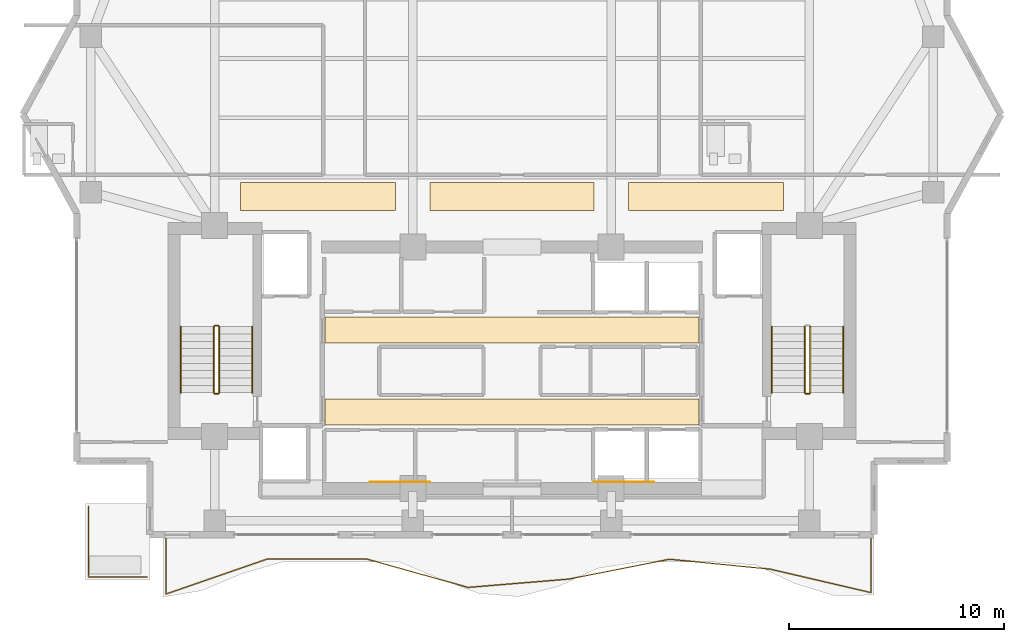
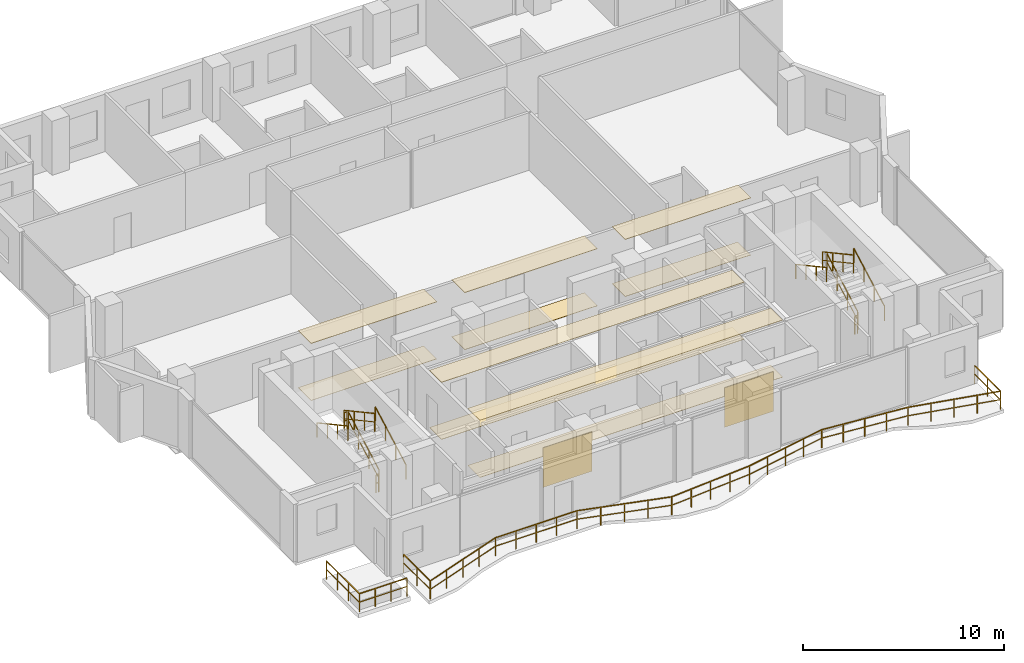
# One storey, part 25 of 28: 13 railings, 12 coverings.
"""IFC4 building model written with IfcOpenShell, lengths in metres."""

from ifc_helpers import new_model, si_unit, direction, frame, origin, origin_2d, place, context, subcontext, project, spatial, polyline, rectangle, outline, extrude, material, layer, layer_set, type_object, element, save


model = new_model("IFC4")

# Units and contexts
model_context = context("Model", 3, precision=1e-05, world=origin(), true_north=direction((0.0, 1.0)))
body_context = subcontext(model_context, "Body", "Model", "MODEL_VIEW")
ifc_project = project(units=[si_unit("LENGTHUNIT", "METRE"), si_unit("AREAUNIT", "SQUARE_METRE"), si_unit("VOLUMEUNIT", "CUBIC_METRE"), si_unit("PLANEANGLEUNIT", "RADIAN"), si_unit("MASSUNIT", "GRAM", prefix="KILO")], contexts=[model_context])

# Site, building, storey
site_placement = place(None, origin())
site = spatial("IfcSite", under=ifc_project, at=site_placement, CompositionType="ELEMENT")
building_placement = place(site_placement, origin())
building = spatial("IfcBuilding", under=site, at=building_placement, Name="Zuhayl Quay Hotel", CompositionType="ELEMENT")
storey_placement = place(building_placement, frame((0.0, 0.0, 239.64990234375)))
storey = spatial("IfcBuildingStorey", under=building, at=storey_placement, Name="L60", CompositionType="ELEMENT", Elevation=239.64990234375)

# Coverings
ifc_material_1 = material(Name="Acoustic Mineral-Fibre Gypsum Board")
ifc_layer_1 = layer(ifc_material_1, 0.02490234375, Name="Acoustic Mineral-Fibre Gypsum Board")
ifc_layer_set_1 = layer_set([ifc_layer_1], Name="Acoustic Mineral-Fibre Gypsum Board")
covering_type_1 = type_object("IfcCoveringType", Name="CV_CEIL_ACOUSTIC", PredefinedType="CEILING", material=ifc_layer_set_1)
covering_1_placement = place(storey_placement, frame((0.0, 0.0, 3.455078125)))
element("IfcCovering", 1, at=covering_1_placement, inside=storey, type_object=covering_type_1, Name="L60 Suspended Acoustic Lobby Ceiling S", PredefinedType="CEILING", context=body_context, shape_type="SweptSolid", body=[
    extrude(outline(polyline([(-8.679931640625, 5.10009765625), (8.679931640625, 5.10009765625), (8.679931640625, 6.300048828125), (-8.679931640625, 6.300048828125), (-8.679931640625, 5.10009765625)])), origin(), (0.0, 0.0, 1.0), 0.02490234375),
])
covering_2_placement = place(storey_placement, frame((0.0, 0.0, 3.455078125)))
element("IfcCovering", 2, at=covering_2_placement, inside=storey, type_object=covering_type_1, Name="L60 Suspended Acoustic Lobby Ceiling N", PredefinedType="CEILING", context=body_context, shape_type="SweptSolid", body=[
    extrude(outline(polyline([(-8.679931640625, 8.89990234375), (8.679931640625, 8.89990234375), (8.679931640625, 10.10009765625), (-8.679931640625, 10.10009765625), (-8.679931640625, 8.89990234375)])), origin(), (0.0, 0.0, 1.0), 0.02490234375),
])
covering_3_placement = place(storey_placement, frame((0.0, 0.0, 3.455078125)))
element("IfcCovering", 3, at=covering_3_placement, inside=storey, type_object=covering_type_1, Name="L60 Guest Corridor Acoustic Ceiling CW", PredefinedType="CEILING", context=body_context, shape_type="SweptSolid", body=[
    extrude(outline(polyline([(-12.60009765625, 15.050048828125), (-5.39990234375, 15.050048828125), (-5.39990234375, 16.35009765625), (-12.60009765625, 16.35009765625), (-12.60009765625, 15.050048828125)])), origin(), (0.0, 0.0, 1.0), 0.02490234375),
])
covering_4_placement = place(storey_placement, frame((0.0, 0.0, 3.455078125)))
element("IfcCovering", 4, at=covering_4_placement, inside=storey, type_object=covering_type_1, Name="L60 Guest Corridor Acoustic Ceiling CC", PredefinedType="CEILING", context=body_context, shape_type="SweptSolid", body=[
    extrude(outline(polyline([(-3.800048828125, 15.050048828125), (3.800048828125, 15.050048828125), (3.800048828125, 16.35009765625), (-3.800048828125, 16.35009765625), (-3.800048828125, 15.050048828125)])), origin(), (0.0, 0.0, 1.0), 0.02490234375),
])
covering_5_placement = place(storey_placement, frame((0.0, 0.0, 3.455078125)))
element("IfcCovering", 5, at=covering_5_placement, inside=storey, type_object=covering_type_1, Name="L60 Guest Corridor Acoustic Ceiling CE", PredefinedType="CEILING", context=body_context, shape_type="SweptSolid", body=[
    extrude(outline(polyline([(5.39990234375, 15.050048828125), (12.60009765625, 15.050048828125), (12.60009765625, 16.35009765625), (5.39990234375, 16.35009765625), (5.39990234375, 15.050048828125)])), origin(), (0.0, 0.0, 1.0), 0.02490234375),
])
ifc_material_2 = material(Name="Polished Limestone Terrazzo", Category="masonry")
ifc_layer_2 = layer(ifc_material_2, 0.02001953125, Name="Polished Limestone Terrazzo", Category="masonry")
ifc_layer_set_2 = layer_set([ifc_layer_2], Name="Polished Limestone Terrazzo")
covering_type_2 = type_object("IfcCoveringType", Name="CV_FLOOR_TERRAZZO", PredefinedType="FLOORING", material=ifc_layer_set_2)
covering_6_placement = place(storey_placement, origin())
element("IfcCovering", 6, at=covering_6_placement, inside=storey, type_object=covering_type_2, Name="L60 Honed Limestone Terrazzo Lobby Flooring S", PredefinedType="FLOORING", context=body_context, shape_type="SweptSolid", body=[
    extrude(outline(polyline([(-8.679931640625, 5.10009765625), (8.679931640625, 5.10009765625), (8.679931640625, 6.300048828125), (-8.679931640625, 6.300048828125), (-8.679931640625, 5.10009765625)])), origin(), (0.0, 0.0, 1.0), 0.02001953125),
])
covering_7_placement = place(storey_placement, origin())
element("IfcCovering", 7, at=covering_7_placement, inside=storey, type_object=covering_type_2, Name="L60 Honed Limestone Terrazzo Lobby Flooring N", PredefinedType="FLOORING", context=body_context, shape_type="SweptSolid", body=[
    extrude(outline(polyline([(-8.679931640625, 8.89990234375), (8.679931640625, 8.89990234375), (8.679931640625, 10.10009765625), (-8.679931640625, 10.10009765625), (-8.679931640625, 8.89990234375)])), origin(), (0.0, 0.0, 1.0), 0.02001953125),
])
covering_8_placement = place(storey_placement, origin())
element("IfcCovering", 8, at=covering_8_placement, inside=storey, type_object=covering_type_2, Name="L60 Guest Corridor Terrazzo Runner CW", PredefinedType="FLOORING", context=body_context, shape_type="SweptSolid", body=[
    extrude(outline(polyline([(-12.60009765625, 15.050048828125), (-5.39990234375, 15.050048828125), (-5.39990234375, 16.35009765625), (-12.60009765625, 16.35009765625), (-12.60009765625, 15.050048828125)])), origin(), (0.0, 0.0, 1.0), 0.02001953125),
])
covering_9_placement = place(storey_placement, origin())
element("IfcCovering", 9, at=covering_9_placement, inside=storey, type_object=covering_type_2, Name="L60 Guest Corridor Terrazzo Runner CC", PredefinedType="FLOORING", context=body_context, shape_type="SweptSolid", body=[
    extrude(outline(polyline([(-3.800048828125, 15.050048828125), (3.800048828125, 15.050048828125), (3.800048828125, 16.35009765625), (-3.800048828125, 16.35009765625), (-3.800048828125, 15.050048828125)])), origin(), (0.0, 0.0, 1.0), 0.02001953125),
])
covering_10_placement = place(storey_placement, origin())
element("IfcCovering", 10, at=covering_10_placement, inside=storey, type_object=covering_type_2, Name="L60 Guest Corridor Terrazzo Runner CE", PredefinedType="FLOORING", context=body_context, shape_type="SweptSolid", body=[
    extrude(outline(polyline([(5.39990234375, 15.050048828125), (12.60009765625, 15.050048828125), (12.60009765625, 16.35009765625), (5.39990234375, 16.35009765625), (5.39990234375, 15.050048828125)])), origin(), (0.0, 0.0, 1.0), 0.02001953125),
])
ifc_material_3 = material(Name="Acoustic Walnut Feature Timber", Category="wood")
ifc_layer_3 = layer(ifc_material_3, 0.02197265625, Name="Acoustic Walnut Feature Timber", Category="wood")
ifc_layer_set_3 = layer_set([ifc_layer_3], Name="Acoustic Walnut Feature Timber")
covering_type_3 = type_object("IfcCoveringType", Name="CV_WALL_CLAD", PredefinedType="CLADDING", material=ifc_layer_set_3)
for number, where, z_axis, x_axis, name in (
    (11, (-5.199951171875, 2.43603515625, 0.300048828125), (0.0, 0.0, 1.0), (1.0, 0.0, 0.0), "L60 Feature Lobby Walnut Wall Cladding W"),
    (12, (5.199951171875, 2.43603515625, 0.300048828125), (0.0, 0.0, 1.0), (1.0, 0.0, 0.0), "L60 Feature Lobby Walnut Wall Cladding E"),
):
    element("IfcCovering", number, at=place(storey_placement, frame(where, z_axis=z_axis, x_axis=x_axis)), inside=storey, type_object=covering_type_3, Name=name, PredefinedType="CLADDING", context=body_context, shape_type="SweptSolid", body=[
        extrude(rectangle(XDim=2.800048828125, YDim=0.02197265625, at=origin_2d()), origin(), (0.0, 0.0, 1.0), 2.39990234375),
    ])

# Railings
ifc_material_4 = material(Name="Anodised Aluminium and Laminated Glass", Category="aluminium")
railing_type_1 = type_object("IfcRailingType", Name="RL_EXT_BAL_1100", PredefinedType="BALUSTRADE", material=ifc_material_4)
railing_1_placement = place(storey_placement, frame((-16.06005859375, -0.1201171875, 0.0)))
element("IfcRailing", 13, at=railing_1_placement, inside=storey, type_object=railing_type_1, Name="L60 Balcony and Terrace Guard GR_L60_BAL_S", PredefinedType="BALUSTRADE", context=body_context, shape_type="SweptSolid", body=[
    extrude(rectangle(XDim=0.048095703125, YDim=0.048095703125, at=origin_2d()), frame((0.0, 0.0, 1.09619140625), z_axis=(0.0, -1.0, 0.0), x_axis=(1.0, 0.0, 0.0)), (0.0, 0.0, 1.0), 2.637939453125),
    extrude(rectangle(XDim=0.0361328125, YDim=0.0361328125, at=origin_2d()), frame((0.0, 0.0, 0.58251953125), z_axis=(0.0, -1.0, 0.0), x_axis=(1.0, 0.0, 0.0)), (0.0, 0.0, 1.0), 2.637939453125),
    extrude(rectangle(XDim=0.048095703125, YDim=0.048095703125, at=origin_2d()), frame((0.0, -2.637939453125, 1.09619140625), z_axis=(0.94497785794, 0.327134296586, 0.0), x_axis=(-0.327134296586, 0.94497785794, 0.0)), (0.0, 0.0, 1.0), 4.946533203125),
    extrude(rectangle(XDim=0.0361328125, YDim=0.0361328125, at=origin_2d()), frame((0.0, -2.637939453125, 0.58251953125), z_axis=(0.94497785794, 0.327134296586, 0.0), x_axis=(-0.327134296586, 0.94497785794, 0.0)), (0.0, 0.0, 1.0), 4.946533203125),
    extrude(rectangle(XDim=0.048095703125, YDim=0.048095703125, at=origin_2d()), frame((4.67431640625, -1.019775390625, 1.09619140625), z_axis=(1.0, 0.0, 0.0), x_axis=(0.0, 1.0, 0.0)), (0.0, 0.0, 1.0), 4.67431640625),
    extrude(rectangle(XDim=0.0361328125, YDim=0.0361328125, at=origin_2d()), frame((4.67431640625, -1.019775390625, 0.58251953125), z_axis=(1.0, 0.0, 0.0), x_axis=(0.0, 1.0, 0.0)), (0.0, 0.0, 1.0), 4.67431640625),
    extrude(rectangle(XDim=0.048095703125, YDim=0.048095703125, at=origin_2d()), frame((9.3486328125, -1.019775390625, 1.09619140625), z_axis=(0.962975510903, -0.269588882192, 0.0), x_axis=(0.269588882192, 0.962975510903, 0.0)), (0.0, 0.0, 1.0), 4.85400390625),
    extrude(rectangle(XDim=0.0361328125, YDim=0.0361328125, at=origin_2d()), frame((9.3486328125, -1.019775390625, 0.58251953125), z_axis=(0.962975510903, -0.269588882192, 0.0), x_axis=(0.269588882192, 0.962975510903, 0.0)), (0.0, 0.0, 1.0), 4.85400390625),
    extrude(rectangle(XDim=0.048095703125, YDim=0.048095703125, at=origin_2d()), frame((14.02294921875, -2.328369140625, 1.09619140625), z_axis=(0.996586560845, 0.082554386582, 0.0), x_axis=(-0.082554386582, 0.996586560845, 0.0)), (0.0, 0.0, 1.0), 4.6904296875),
    extrude(rectangle(XDim=0.0361328125, YDim=0.0361328125, at=origin_2d()), frame((14.02294921875, -2.328369140625, 0.58251953125), z_axis=(0.996586560845, 0.082554386582, 0.0), x_axis=(-0.082554386582, 0.996586560845, 0.0)), (0.0, 0.0, 1.0), 4.6904296875),
    extrude(rectangle(XDim=0.048095703125, YDim=0.048095703125, at=origin_2d()), frame((18.697265625, -1.941162109375, 1.09619140625), z_axis=(0.981118963355, 0.193405221609, 0.0), x_axis=(-0.193405221609, 0.981118963355, 0.0)), (0.0, 0.0, 1.0), 4.763916015625),
    extrude(rectangle(XDim=0.0361328125, YDim=0.0361328125, at=origin_2d()), frame((18.697265625, -1.941162109375, 0.58251953125), z_axis=(0.981118963355, 0.193405221609, 0.0), x_axis=(-0.193405221609, 0.981118963355, 0.0)), (0.0, 0.0, 1.0), 4.763916015625),
    extrude(rectangle(XDim=0.048095703125, YDim=0.048095703125, at=origin_2d()), frame((23.371337890625, -1.019775390625, 1.09619140625), z_axis=(0.99516806389, -0.098186173231, 0.0), x_axis=(0.098186173231, 0.99516806389, 0.0)), (0.0, 0.0, 1.0), 4.697021484375),
    extrude(rectangle(XDim=0.0361328125, YDim=0.0361328125, at=origin_2d()), frame((23.371337890625, -1.019775390625, 0.58251953125), z_axis=(0.99516806389, -0.098186173231, 0.0), x_axis=(0.098186173231, 0.99516806389, 0.0)), (0.0, 0.0, 1.0), 4.697021484375),
    extrude(rectangle(XDim=0.048095703125, YDim=0.048095703125, at=origin_2d()), frame((28.045654296875, -1.48095703125, 1.09619140625), z_axis=(0.973946916947, -0.226776107581, 0.0), x_axis=(0.226776107581, 0.973946916947, 0.0)), (0.0, 0.0, 1.0), 4.79931640625),
    extrude(rectangle(XDim=0.0361328125, YDim=0.0361328125, at=origin_2d()), frame((28.045654296875, -1.48095703125, 0.58251953125), z_axis=(0.973946916947, -0.226776107581, 0.0), x_axis=(0.226776107581, 0.973946916947, 0.0)), (0.0, 0.0, 1.0), 4.79931640625),
    extrude(rectangle(XDim=0.048095703125, YDim=0.048095703125, at=origin_2d()), frame((32.719970703125, -2.5693359375, 1.09619140625), z_axis=(0.0, 1.0, 0.0), x_axis=(-1.0, 0.0, 0.0)), (0.0, 0.0, 1.0), 2.5693359375),
    extrude(rectangle(XDim=0.0361328125, YDim=0.0361328125, at=origin_2d()), frame((32.719970703125, -2.5693359375, 0.58251953125), z_axis=(0.0, 1.0, 0.0), x_axis=(-1.0, 0.0, 0.0)), (0.0, 0.0, 1.0), 2.5693359375),
    extrude(rectangle(XDim=0.0419921875, YDim=0.0419921875, at=origin_2d()), origin(), (0.0, 0.0, 1.0), 1.072021484375),
    extrude(rectangle(XDim=0.0419921875, YDim=0.0419921875, at=origin_2d()), frame((0.0, -1.31884765625, 0.0)), (0.0, 0.0, 1.0), 1.072021484375),
    extrude(rectangle(XDim=0.0419921875, YDim=0.0419921875, at=origin_2d()), frame((0.0, -2.637939453125, 0.0)), (0.0, 0.0, 1.0), 1.072021484375),
    extrude(rectangle(XDim=0.0419921875, YDim=0.0419921875, at=origin_2d()), frame((1.16845703125, -2.2333984375, 0.0)), (0.0, 0.0, 1.0), 1.072021484375),
    extrude(rectangle(XDim=0.0419921875, YDim=0.0419921875, at=origin_2d()), frame((2.337158203125, -1.828857421875, 0.0)), (0.0, 0.0, 1.0), 1.072021484375),
    extrude(rectangle(XDim=0.0419921875, YDim=0.0419921875, at=origin_2d()), frame((3.505859375, -1.42431640625, 0.0)), (0.0, 0.0, 1.0), 1.072021484375),
    extrude(rectangle(XDim=0.0419921875, YDim=0.0419921875, at=origin_2d()), frame((4.67431640625, -1.019775390625, 0.0)), (0.0, 0.0, 1.0), 1.072021484375),
    extrude(rectangle(XDim=0.0419921875, YDim=0.0419921875, at=origin_2d()), frame((5.8427734375, -1.019775390625, 0.0)), (0.0, 0.0, 1.0), 1.072021484375),
    extrude(rectangle(XDim=0.0419921875, YDim=0.0419921875, at=origin_2d()), frame((7.011474609375, -1.019775390625, 0.0)), (0.0, 0.0, 1.0), 1.072021484375),
    extrude(rectangle(XDim=0.0419921875, YDim=0.0419921875, at=origin_2d()), frame((8.18017578125, -1.019775390625, 0.0)), (0.0, 0.0, 1.0), 1.072021484375),
    extrude(rectangle(XDim=0.0419921875, YDim=0.0419921875, at=origin_2d()), frame((9.3486328125, -1.019775390625, 0.0)), (0.0, 0.0, 1.0), 1.072021484375),
    extrude(rectangle(XDim=0.0419921875, YDim=0.0419921875, at=origin_2d()), frame((10.51708984375, -1.346923828125, 0.0)), (0.0, 0.0, 1.0), 1.072021484375),
    extrude(rectangle(XDim=0.0419921875, YDim=0.0419921875, at=origin_2d()), frame((11.685791015625, -1.674072265625, 0.0)), (0.0, 0.0, 1.0), 1.072021484375),
    extrude(rectangle(XDim=0.0419921875, YDim=0.0419921875, at=origin_2d()), frame((12.8544921875, -2.001220703125, 0.0)), (0.0, 0.0, 1.0), 1.072021484375),
    extrude(rectangle(XDim=0.0419921875, YDim=0.0419921875, at=origin_2d()), frame((14.02294921875, -2.328369140625, 0.0)), (0.0, 0.0, 1.0), 1.072021484375),
    extrude(rectangle(XDim=0.0419921875, YDim=0.0419921875, at=origin_2d()), frame((15.19140625, -2.2314453125, 0.0)), (0.0, 0.0, 1.0), 1.072021484375),
    extrude(rectangle(XDim=0.0419921875, YDim=0.0419921875, at=origin_2d()), frame((16.360107421875, -2.134765625, 0.0)), (0.0, 0.0, 1.0), 1.072021484375),
    extrude(rectangle(XDim=0.0419921875, YDim=0.0419921875, at=origin_2d()), frame((17.52880859375, -2.0380859375, 0.0)), (0.0, 0.0, 1.0), 1.072021484375),
    extrude(rectangle(XDim=0.0419921875, YDim=0.0419921875, at=origin_2d()), frame((18.697265625, -1.941162109375, 0.0)), (0.0, 0.0, 1.0), 1.072021484375),
    extrude(rectangle(XDim=0.0419921875, YDim=0.0419921875, at=origin_2d()), frame((19.86572265625, -1.7109375, 0.0)), (0.0, 0.0, 1.0), 1.072021484375),
    extrude(rectangle(XDim=0.0419921875, YDim=0.0419921875, at=origin_2d()), frame((21.0341796875, -1.48046875, 0.0)), (0.0, 0.0, 1.0), 1.072021484375),
    extrude(rectangle(XDim=0.0419921875, YDim=0.0419921875, at=origin_2d()), frame((22.202880859375, -1.25, 0.0)), (0.0, 0.0, 1.0), 1.072021484375),
    extrude(rectangle(XDim=0.0419921875, YDim=0.0419921875, at=origin_2d()), frame((23.371337890625, -1.019775390625, 0.0)), (0.0, 0.0, 1.0), 1.072021484375),
    extrude(rectangle(XDim=0.0419921875, YDim=0.0419921875, at=origin_2d()), frame((24.5400390625, -1.135009765625, 0.0)), (0.0, 0.0, 1.0), 1.072021484375),
    extrude(rectangle(XDim=0.0419921875, YDim=0.0419921875, at=origin_2d()), frame((25.70849609375, -1.25048828125, 0.0)), (0.0, 0.0, 1.0), 1.072021484375),
    extrude(rectangle(XDim=0.0419921875, YDim=0.0419921875, at=origin_2d()), frame((26.876953125, -1.36572265625, 0.0)), (0.0, 0.0, 1.0), 1.072021484375),
    extrude(rectangle(XDim=0.0419921875, YDim=0.0419921875, at=origin_2d()), frame((28.045654296875, -1.48095703125, 0.0)), (0.0, 0.0, 1.0), 1.072021484375),
    extrude(rectangle(XDim=0.0419921875, YDim=0.0419921875, at=origin_2d()), frame((29.21435546875, -1.7529296875, 0.0)), (0.0, 0.0, 1.0), 1.072021484375),
    extrude(rectangle(XDim=0.0419921875, YDim=0.0419921875, at=origin_2d()), frame((30.3828125, -2.025146484375, 0.0)), (0.0, 0.0, 1.0), 1.072021484375),
    extrude(rectangle(XDim=0.0419921875, YDim=0.0419921875, at=origin_2d()), frame((31.55126953125, -2.29736328125, 0.0)), (0.0, 0.0, 1.0), 1.072021484375),
    extrude(rectangle(XDim=0.0419921875, YDim=0.0419921875, at=origin_2d()), frame((32.719970703125, -2.5693359375, 0.0)), (0.0, 0.0, 1.0), 1.072021484375),
    extrude(rectangle(XDim=0.0419921875, YDim=0.0419921875, at=origin_2d()), frame((32.719970703125, -1.28466796875, 0.0)), (0.0, 0.0, 1.0), 1.072021484375),
    extrude(rectangle(XDim=0.0419921875, YDim=0.0419921875, at=origin_2d()), frame((32.719970703125, 0.0, 0.0)), (0.0, 0.0, 1.0), 1.072021484375),
])
railing_2_placement = place(storey_placement, frame((-19.659912109375, 1.31005859375, 0.0)))
element("IfcRailing", 14, at=railing_2_placement, inside=storey, type_object=railing_type_1, Name="L60 Balcony and Terrace Guard GR_L60_SPIRAL_SW", PredefinedType="BALUSTRADE", context=body_context, shape_type="SweptSolid", body=[
    extrude(rectangle(XDim=0.048095703125, YDim=0.048095703125, at=origin_2d()), frame((0.0, 0.0, 1.09619140625), z_axis=(0.0, -1.0, 0.0), x_axis=(1.0, 0.0, 0.0)), (0.0, 0.0, 1.0), 3.27001953125),
    extrude(rectangle(XDim=0.0361328125, YDim=0.0361328125, at=origin_2d()), frame((0.0, 0.0, 0.58251953125), z_axis=(0.0, -1.0, 0.0), x_axis=(1.0, 0.0, 0.0)), (0.0, 0.0, 1.0), 3.27001953125),
    extrude(rectangle(XDim=0.048095703125, YDim=0.048095703125, at=origin_2d()), frame((0.0, -3.27001953125, 1.09619140625), z_axis=(1.0, 0.0, 0.0), x_axis=(0.0, 1.0, 0.0)), (0.0, 0.0, 1.0), 2.719970703125),
    extrude(rectangle(XDim=0.0361328125, YDim=0.0361328125, at=origin_2d()), frame((0.0, -3.27001953125, 0.58251953125), z_axis=(1.0, 0.0, 0.0), x_axis=(0.0, 1.0, 0.0)), (0.0, 0.0, 1.0), 2.719970703125),
    extrude(rectangle(XDim=0.0419921875, YDim=0.0419921875, at=origin_2d()), origin(), (0.0, 0.0, 1.0), 1.072021484375),
    extrude(rectangle(XDim=0.0419921875, YDim=0.0419921875, at=origin_2d()), frame((0.0, -1.090087890625, 0.0)), (0.0, 0.0, 1.0), 1.072021484375),
    extrude(rectangle(XDim=0.0419921875, YDim=0.0419921875, at=origin_2d()), frame((0.0, -2.179931640625, 0.0)), (0.0, 0.0, 1.0), 1.072021484375),
    extrude(rectangle(XDim=0.0419921875, YDim=0.0419921875, at=origin_2d()), frame((0.0, -3.27001953125, 0.0)), (0.0, 0.0, 1.0), 1.072021484375),
    extrude(rectangle(XDim=0.0419921875, YDim=0.0419921875, at=origin_2d()), frame((0.90673828125, -3.27001953125, 0.0)), (0.0, 0.0, 1.0), 1.072021484375),
    extrude(rectangle(XDim=0.0419921875, YDim=0.0419921875, at=origin_2d()), frame((1.813232421875, -3.27001953125, 0.0)), (0.0, 0.0, 1.0), 1.072021484375),
    extrude(rectangle(XDim=0.0419921875, YDim=0.0419921875, at=origin_2d()), frame((2.719970703125, -3.27001953125, 0.0)), (0.0, 0.0, 1.0), 1.072021484375),
])
ifc_material_5 = material(Name="Steel ASTM A992 Grade 50", Category="steel")
railing_type_2 = type_object("IfcRailingType", Name="RL_GUARD_1100", PredefinedType="GUARDRAIL", material=ifc_material_5)
railing_3_placement = place(storey_placement, frame((-13.590087890625, 6.590087890625, 0.18505859375)))
element("IfcRailing", 15, at=railing_3_placement, inside=storey, type_object=railing_type_2, Name="L60 ST1 stair guard 1", PredefinedType="GUARDRAIL", context=body_context, shape_type="SweptSolid", body=[
    extrude(rectangle(XDim=0.048095703125, YDim=0.048095703125, at=origin_2d()), frame((0.0, 0.0, 1.09619140625), z_axis=(0.0, 0.878371892512, 0.477977843049), x_axis=(-1.0, 0.0, 0.0)), (0.0, 0.0, 1.0), 3.4833984375),
    extrude(rectangle(XDim=0.0361328125, YDim=0.0361328125, at=origin_2d()), frame((0.0, 0.0, 0.58251953125), z_axis=(0.0, 0.878371892512, 0.477977843049), x_axis=(-1.0, 0.0, 0.0)), (0.0, 0.0, 1.0), 3.4833984375),
    extrude(rectangle(XDim=0.0419921875, YDim=0.0419921875, at=origin_2d()), origin(), (0.0, 0.0, 1.0), 1.072021484375),
    extrude(rectangle(XDim=0.0419921875, YDim=0.0419921875, at=origin_2d()), frame((0.0, 1.02001953125, 0.554931640625)), (0.0, 0.0, 1.0), 1.072021484375),
    extrude(rectangle(XDim=0.0419921875, YDim=0.0419921875, at=origin_2d()), frame((0.0, 2.039794921875, 1.110107421875)), (0.0, 0.0, 1.0), 1.072021484375),
    extrude(rectangle(XDim=0.0419921875, YDim=0.0419921875, at=origin_2d()), frame((0.0, 3.059814453125, 1.6650390625)), (0.0, 0.0, 1.0), 1.072021484375),
])
railing_4_placement = place(storey_placement, frame((-13.639892578125, 9.699951171875, 1.85009765625)))
element("IfcRailing", 16, at=railing_4_placement, inside=storey, type_object=railing_type_2, Name="L60 ST1 stair guard 2", PredefinedType="GUARDRAIL", context=body_context, shape_type="SweptSolid", body=[
    extrude(rectangle(XDim=0.048095703125, YDim=0.048095703125, at=origin_2d()), frame((0.0, 0.0, 1.09619140625), z_axis=(-1.0, 0.0, 0.0), x_axis=(0.0, -1.0, 0.0)), (0.0, 0.0, 1.0), 0.150146484375),
    extrude(rectangle(XDim=0.0361328125, YDim=0.0361328125, at=origin_2d()), frame((0.0, 0.0, 0.58251953125), z_axis=(-1.0, 0.0, 0.0), x_axis=(0.0, -1.0, 0.0)), (0.0, 0.0, 1.0), 0.150146484375),
    extrude(rectangle(XDim=0.0419921875, YDim=0.0419921875, at=origin_2d()), origin(), (0.0, 0.0, 1.0), 1.072021484375),
    extrude(rectangle(XDim=0.0419921875, YDim=0.0419921875, at=origin_2d()), frame((-0.150146484375, 0.0, 0.0)), (0.0, 0.0, 1.0), 1.072021484375),
])
railing_5_placement = place(storey_placement, frame((-13.840087890625, 9.64990234375, 2.03515625)))
element("IfcRailing", 17, at=railing_5_placement, inside=storey, type_object=railing_type_2, Name="L60 ST1 stair guard 3", PredefinedType="GUARDRAIL", context=body_context, shape_type="SweptSolid", body=[
    extrude(rectangle(XDim=0.048095703125, YDim=0.048095703125, at=origin_2d()), frame((0.0, 0.0, 1.09619140625), z_axis=(0.0, -0.878371892512, 0.477977843049), x_axis=(1.0, 0.0, 0.0)), (0.0, 0.0, 1.0), 3.4833984375),
    extrude(rectangle(XDim=0.0361328125, YDim=0.0361328125, at=origin_2d()), frame((0.0, 0.0, 0.58251953125), z_axis=(0.0, -0.878371892512, 0.477977843049), x_axis=(1.0, 0.0, 0.0)), (0.0, 0.0, 1.0), 3.4833984375),
    extrude(rectangle(XDim=0.0419921875, YDim=0.0419921875, at=origin_2d()), origin(), (0.0, 0.0, 1.0), 1.072021484375),
    extrude(rectangle(XDim=0.0419921875, YDim=0.0419921875, at=origin_2d()), frame((0.0, -1.02001953125, 0.554931640625)), (0.0, 0.0, 1.0), 1.072021484375),
    extrude(rectangle(XDim=0.0419921875, YDim=0.0419921875, at=origin_2d()), frame((0.0, -2.039794921875, 1.110107421875)), (0.0, 0.0, 1.0), 1.072021484375),
    extrude(rectangle(XDim=0.0419921875, YDim=0.0419921875, at=origin_2d()), frame((0.0, -3.059814453125, 1.6650390625)), (0.0, 0.0, 1.0), 1.072021484375),
])
railing_6_placement = place(storey_placement, frame((-13.639892578125, 6.5400390625, 0.0)))
element("IfcRailing", 18, at=railing_6_placement, inside=storey, type_object=railing_type_2, Name="L60 ST1 stair guard 4", PredefinedType="GUARDRAIL", context=body_context, shape_type="SweptSolid", body=[
    extrude(rectangle(XDim=0.048095703125, YDim=0.048095703125, at=origin_2d()), frame((0.0, 0.0, 1.09619140625), z_axis=(-1.0, 0.0, 0.0), x_axis=(0.0, -1.0, 0.0)), (0.0, 0.0, 1.0), 0.150146484375),
    extrude(rectangle(XDim=0.0361328125, YDim=0.0361328125, at=origin_2d()), frame((0.0, 0.0, 0.58251953125), z_axis=(-1.0, 0.0, 0.0), x_axis=(0.0, -1.0, 0.0)), (0.0, 0.0, 1.0), 0.150146484375),
    extrude(rectangle(XDim=0.0419921875, YDim=0.0419921875, at=origin_2d()), origin(), (0.0, 0.0, 1.0), 1.072021484375),
    extrude(rectangle(XDim=0.0419921875, YDim=0.0419921875, at=origin_2d()), frame((-0.150146484375, 0.0, 0.0)), (0.0, 0.0, 1.0), 1.072021484375),
])
railing_7_placement = place(storey_placement, frame((13.840087890625, 6.590087890625, 0.18505859375)))
element("IfcRailing", 19, at=railing_7_placement, inside=storey, type_object=railing_type_2, Name="L60 ST2 stair guard 1", PredefinedType="GUARDRAIL", context=body_context, shape_type="SweptSolid", body=[
    extrude(rectangle(XDim=0.048095703125, YDim=0.048095703125, at=origin_2d()), frame((0.0, 0.0, 1.09619140625), z_axis=(0.0, 0.878371892512, 0.477977843049), x_axis=(-1.0, 0.0, 0.0)), (0.0, 0.0, 1.0), 3.4833984375),
    extrude(rectangle(XDim=0.0361328125, YDim=0.0361328125, at=origin_2d()), frame((0.0, 0.0, 0.58251953125), z_axis=(0.0, 0.878371892512, 0.477977843049), x_axis=(-1.0, 0.0, 0.0)), (0.0, 0.0, 1.0), 3.4833984375),
    extrude(rectangle(XDim=0.0419921875, YDim=0.0419921875, at=origin_2d()), origin(), (0.0, 0.0, 1.0), 1.072021484375),
    extrude(rectangle(XDim=0.0419921875, YDim=0.0419921875, at=origin_2d()), frame((0.0, 1.02001953125, 0.554931640625)), (0.0, 0.0, 1.0), 1.072021484375),
    extrude(rectangle(XDim=0.0419921875, YDim=0.0419921875, at=origin_2d()), frame((0.0, 2.039794921875, 1.110107421875)), (0.0, 0.0, 1.0), 1.072021484375),
    extrude(rectangle(XDim=0.0419921875, YDim=0.0419921875, at=origin_2d()), frame((0.0, 3.059814453125, 1.6650390625)), (0.0, 0.0, 1.0), 1.072021484375),
])
railing_8_placement = place(storey_placement, frame((13.590087890625, 9.64990234375, 2.03515625)))
element("IfcRailing", 20, at=railing_8_placement, inside=storey, type_object=railing_type_2, Name="L60 ST2 stair guard 3", PredefinedType="GUARDRAIL", context=body_context, shape_type="SweptSolid", body=[
    extrude(rectangle(XDim=0.048095703125, YDim=0.048095703125, at=origin_2d()), frame((0.0, 0.0, 1.09619140625), z_axis=(0.0, -0.878371892512, 0.477977843049), x_axis=(1.0, 0.0, 0.0)), (0.0, 0.0, 1.0), 3.4833984375),
    extrude(rectangle(XDim=0.0361328125, YDim=0.0361328125, at=origin_2d()), frame((0.0, 0.0, 0.58251953125), z_axis=(0.0, -0.878371892512, 0.477977843049), x_axis=(1.0, 0.0, 0.0)), (0.0, 0.0, 1.0), 3.4833984375),
    extrude(rectangle(XDim=0.0419921875, YDim=0.0419921875, at=origin_2d()), origin(), (0.0, 0.0, 1.0), 1.072021484375),
    extrude(rectangle(XDim=0.0419921875, YDim=0.0419921875, at=origin_2d()), frame((0.0, -1.02001953125, 0.554931640625)), (0.0, 0.0, 1.0), 1.072021484375),
    extrude(rectangle(XDim=0.0419921875, YDim=0.0419921875, at=origin_2d()), frame((0.0, -2.039794921875, 1.110107421875)), (0.0, 0.0, 1.0), 1.072021484375),
    extrude(rectangle(XDim=0.0419921875, YDim=0.0419921875, at=origin_2d()), frame((0.0, -3.059814453125, 1.6650390625)), (0.0, 0.0, 1.0), 1.072021484375),
])
railing_9_placement = place(storey_placement, frame((13.7900390625, 6.5400390625, 0.0)))
element("IfcRailing", 21, at=railing_9_placement, inside=storey, type_object=railing_type_2, Name="L60 ST2 stair guard 4", PredefinedType="GUARDRAIL", context=body_context, shape_type="SweptSolid", body=[
    extrude(rectangle(XDim=0.048095703125, YDim=0.048095703125, at=origin_2d()), frame((0.0, 0.0, 1.09619140625), z_axis=(-1.0, 0.0, 0.0), x_axis=(0.0, -1.0, 0.0)), (0.0, 0.0, 1.0), 0.150146484375),
    extrude(rectangle(XDim=0.0361328125, YDim=0.0361328125, at=origin_2d()), frame((0.0, 0.0, 0.58251953125), z_axis=(-1.0, 0.0, 0.0), x_axis=(0.0, -1.0, 0.0)), (0.0, 0.0, 1.0), 0.150146484375),
    extrude(rectangle(XDim=0.0419921875, YDim=0.0419921875, at=origin_2d()), origin(), (0.0, 0.0, 1.0), 1.072021484375),
    extrude(rectangle(XDim=0.0419921875, YDim=0.0419921875, at=origin_2d()), frame((-0.150146484375, 0.0, 0.0)), (0.0, 0.0, 1.0), 1.072021484375),
])
railing_type_3 = type_object("IfcRailingType", Name="RL_HANDRAIL_920", PredefinedType="HANDRAIL", material=ifc_material_5)
railing_10_placement = place(storey_placement, frame((-12.050048828125, 6.590087890625, 0.18505859375)))
element("IfcRailing", 22, at=railing_10_placement, inside=storey, type_object=railing_type_3, Name="L60 ST1 stair handrail 1", PredefinedType="HANDRAIL", context=body_context, shape_type="SweptSolid", body=[
    extrude(rectangle(XDim=0.048095703125, YDim=0.048095703125, at=origin_2d()), frame((0.0, 0.0, 0.8759765625), z_axis=(0.0, 0.878371892512, 0.477977843049), x_axis=(-1.0, 0.0, 0.0)), (0.0, 0.0, 1.0), 3.4833984375),
    extrude(rectangle(XDim=0.0419921875, YDim=0.0419921875, at=origin_2d()), origin(), (0.0, 0.0, 1.0), 0.851806640625),
    extrude(rectangle(XDim=0.0419921875, YDim=0.0419921875, at=origin_2d()), frame((0.0, 1.02001953125, 0.554931640625)), (0.0, 0.0, 1.0), 0.851806640625),
    extrude(rectangle(XDim=0.0419921875, YDim=0.0419921875, at=origin_2d()), frame((0.0, 2.039794921875, 1.110107421875)), (0.0, 0.0, 1.0), 0.851806640625),
    extrude(rectangle(XDim=0.0419921875, YDim=0.0419921875, at=origin_2d()), frame((0.0, 3.059814453125, 1.6650390625)), (0.0, 0.0, 1.0), 0.851806640625),
])
railing_11_placement = place(storey_placement, frame((-15.3798828125, 9.64990234375, 2.03515625)))
element("IfcRailing", 23, at=railing_11_placement, inside=storey, type_object=railing_type_3, Name="L60 ST1 stair handrail 2", PredefinedType="HANDRAIL", context=body_context, shape_type="SweptSolid", body=[
    extrude(rectangle(XDim=0.048095703125, YDim=0.048095703125, at=origin_2d()), frame((0.0, 0.0, 0.8759765625), z_axis=(0.0, -0.878371892512, 0.477977843049), x_axis=(1.0, 0.0, 0.0)), (0.0, 0.0, 1.0), 3.4833984375),
    extrude(rectangle(XDim=0.0419921875, YDim=0.0419921875, at=origin_2d()), origin(), (0.0, 0.0, 1.0), 0.851806640625),
    extrude(rectangle(XDim=0.0419921875, YDim=0.0419921875, at=origin_2d()), frame((0.0, -1.02001953125, 0.554931640625)), (0.0, 0.0, 1.0), 0.851806640625),
    extrude(rectangle(XDim=0.0419921875, YDim=0.0419921875, at=origin_2d()), frame((0.0, -2.039794921875, 1.110107421875)), (0.0, 0.0, 1.0), 0.851806640625),
    extrude(rectangle(XDim=0.0419921875, YDim=0.0419921875, at=origin_2d()), frame((0.0, -3.059814453125, 1.6650390625)), (0.0, 0.0, 1.0), 0.851806640625),
])
railing_12_placement = place(storey_placement, frame((15.3798828125, 6.590087890625, 0.18505859375)))
element("IfcRailing", 24, at=railing_12_placement, inside=storey, type_object=railing_type_3, Name="L60 ST2 stair handrail 1", PredefinedType="HANDRAIL", context=body_context, shape_type="SweptSolid", body=[
    extrude(rectangle(XDim=0.048095703125, YDim=0.048095703125, at=origin_2d()), frame((0.0, 0.0, 0.8759765625), z_axis=(0.0, 0.878371892512, 0.477977843049), x_axis=(-1.0, 0.0, 0.0)), (0.0, 0.0, 1.0), 3.4833984375),
    extrude(rectangle(XDim=0.0419921875, YDim=0.0419921875, at=origin_2d()), origin(), (0.0, 0.0, 1.0), 0.851806640625),
    extrude(rectangle(XDim=0.0419921875, YDim=0.0419921875, at=origin_2d()), frame((0.0, 1.02001953125, 0.554931640625)), (0.0, 0.0, 1.0), 0.851806640625),
    extrude(rectangle(XDim=0.0419921875, YDim=0.0419921875, at=origin_2d()), frame((0.0, 2.039794921875, 1.110107421875)), (0.0, 0.0, 1.0), 0.851806640625),
    extrude(rectangle(XDim=0.0419921875, YDim=0.0419921875, at=origin_2d()), frame((0.0, 3.059814453125, 1.6650390625)), (0.0, 0.0, 1.0), 0.851806640625),
])
railing_13_placement = place(storey_placement, frame((12.050048828125, 9.64990234375, 2.03515625)))
element("IfcRailing", 25, at=railing_13_placement, inside=storey, type_object=railing_type_3, Name="L60 ST2 stair handrail 2", PredefinedType="HANDRAIL", context=body_context, shape_type="SweptSolid", body=[
    extrude(rectangle(XDim=0.048095703125, YDim=0.048095703125, at=origin_2d()), frame((0.0, 0.0, 0.8759765625), z_axis=(0.0, -0.878371892512, 0.477977843049), x_axis=(1.0, 0.0, 0.0)), (0.0, 0.0, 1.0), 3.4833984375),
    extrude(rectangle(XDim=0.0419921875, YDim=0.0419921875, at=origin_2d()), origin(), (0.0, 0.0, 1.0), 0.851806640625),
    extrude(rectangle(XDim=0.0419921875, YDim=0.0419921875, at=origin_2d()), frame((0.0, -1.02001953125, 0.554931640625)), (0.0, 0.0, 1.0), 0.851806640625),
    extrude(rectangle(XDim=0.0419921875, YDim=0.0419921875, at=origin_2d()), frame((0.0, -2.039794921875, 1.110107421875)), (0.0, 0.0, 1.0), 0.851806640625),
    extrude(rectangle(XDim=0.0419921875, YDim=0.0419921875, at=origin_2d()), frame((0.0, -3.059814453125, 1.6650390625)), (0.0, 0.0, 1.0), 0.851806640625),
])

save(model, "model.ifc")
